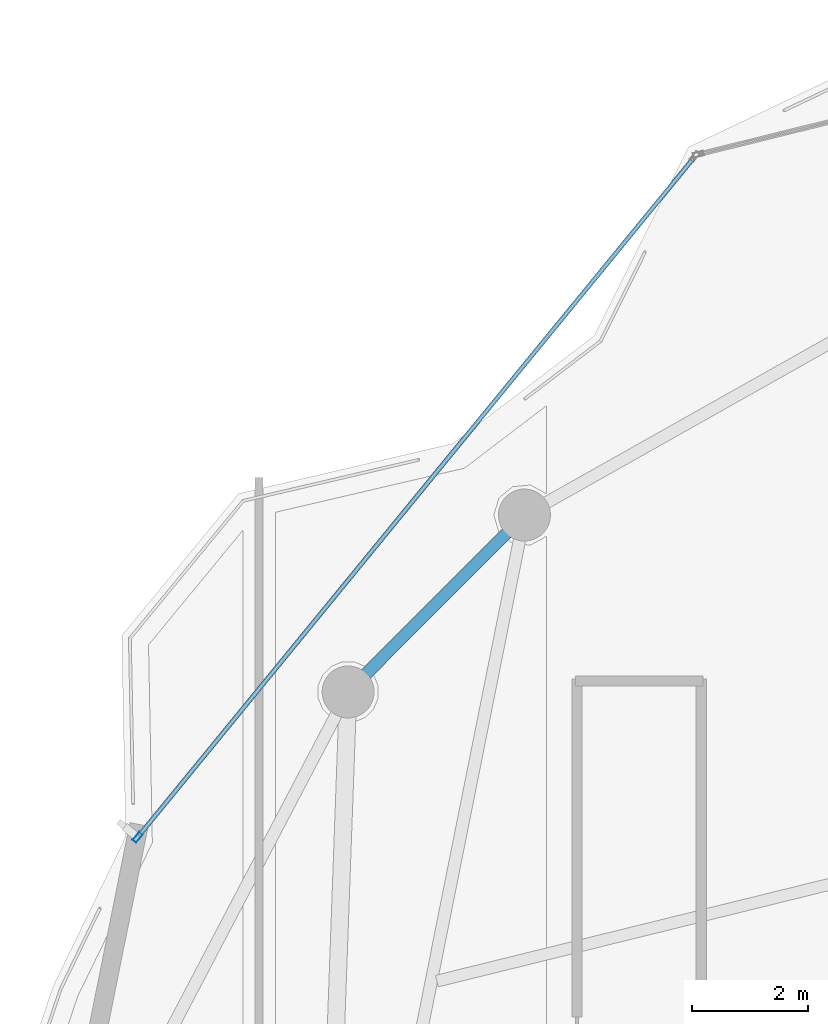
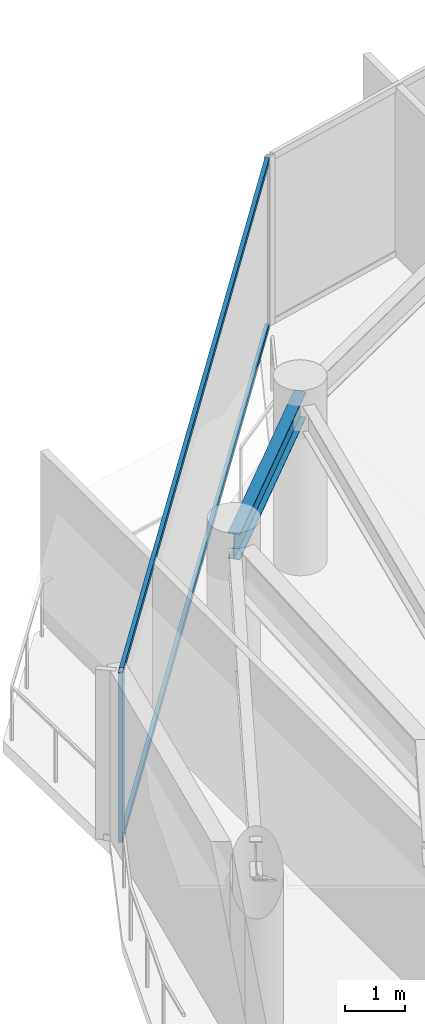
# One storey, part 18 of 29: 3 members, 1 beam, 1 element without a shape of its own.
"""IFC4 building model written with IfcOpenShell, lengths in metres."""

from ifc_helpers import new_model, si_unit, direction, frame, origin, origin_2d, place, context, subcontext, project, spatial, hollow_rectangle, i_section, extrude, material, layer, layer_set, material_profile, profile_set, type_object, element, aggregate, save


model = new_model("IFC4")

# Units and contexts
model_context = context("Model", 3, precision=1e-05, world=origin(), true_north=direction((0.0, 1.0)))
body_context = subcontext(model_context, "Body", "Model", "MODEL_VIEW")
ifc_project = project(units=[si_unit("LENGTHUNIT", "METRE"), si_unit("AREAUNIT", "SQUARE_METRE"), si_unit("VOLUMEUNIT", "CUBIC_METRE"), si_unit("PLANEANGLEUNIT", "RADIAN"), si_unit("MASSUNIT", "GRAM", prefix="KILO")], contexts=[model_context])

# Site, building, storey
site_placement = place(None, origin())
site = spatial("IfcSite", under=ifc_project, at=site_placement, CompositionType="ELEMENT")
building_placement = place(site_placement, origin())
building = spatial("IfcBuilding", under=site, at=building_placement, Name="Kazevale Care Tower and Concert Hall", CompositionType="ELEMENT")
storey_placement = place(building_placement, frame((0.0, 0.0, 289.0)))
storey = spatial("IfcBuildingStorey", under=building, at=storey_placement, Name="L76", CompositionType="ELEMENT", Elevation=289.0)

# Curtain wall, members
ifc_material_1 = material(Name="Aluminium 6063-T6 and Low-E Glass", Category="aluminium")
ifc_layer = layer(ifc_material_1, 0.179931640625)
ifc_layer_set = layer_set([ifc_layer], Name="Aluminium 6063-T6 and Low-E Glass")
curtain_wall_type = type_object("IfcCurtainWallType", Name="Convex Checkerboard Finned Curtain Wall CW-2", PredefinedType="NOTDEFINED", material=ifc_layer_set)
curtain_wall_placement = place(storey_placement, origin())
curtain_wall = element("IfcCurtainWall", 1, at=curtain_wall_placement, inside=storey, type_object=curtain_wall_type, Name="cw:L76:f14", PredefinedType="NOTDEFINED")
ifc_material_2 = material(Name="Aluminium 6063-T6", Category="aluminium")
ifc_material_profile_1 = material_profile(ifc_material_2, hollow_rectangle(XDim=0.080078125, YDim=0.179931640625, WallThickness=0.0048828125, at=origin_2d()), Name="ALU80x180x5")
ifc_profile_set_1 = profile_set([ifc_material_profile_1], Name="Aluminium 6063-T6")
member_type_1 = type_object("IfcMemberType", Name="CW-2 Mullion ALU80x180x5", PredefinedType="MULLION", material=ifc_profile_set_1)
member_1_placement = place(storey_placement, frame((18.8984375, 48.794921875, 0.0), z_axis=(0.0, 0.0, 1.0), x_axis=(-0.773802882676, 0.63342647463, 0.0)))
member_1 = element("IfcMember", 2, at=member_1_placement, type_object=member_type_1, Name="CW-2 mullion 1", PredefinedType="MULLION", context=body_context, shape_type="SweptSolid", body=[
    extrude(hollow_rectangle(XDim=0.080078125, YDim=0.179931640625, WallThickness=0.0048828125, at=origin_2d()), origin(), (0.0, 0.0, 1.0), 3.47998046875),
])
ifc_material_profile_2 = material_profile(ifc_material_2, hollow_rectangle(XDim=0.074951171875, YDim=0.1201171875, WallThickness=0.00390625, at=origin_2d()), Name="ALU75x120x4")
ifc_profile_set_2 = profile_set([ifc_material_profile_2], Name="Aluminium 6063-T6")
member_type_2 = type_object("IfcMemberType", Name="CW-2 Transom ALU75x120x4", PredefinedType="USERDEFINED", material=ifc_profile_set_2)
member_2_placement = place(storey_placement, frame((18.923583984375, 48.825927734375, 0.03759765625), z_axis=(0.633427513574, 0.773802032206, 0.0), x_axis=(-0.773802032206, 0.633427513574, 0.0)))
member_2 = element("IfcMember", 3, at=member_2_placement, type_object=member_type_2, Name="CW-2 transom 1.1", ObjectType="TRANSOM", PredefinedType="USERDEFINED", context=body_context, shape_type="SweptSolid", body=[
    extrude(hollow_rectangle(XDim=0.074951171875, YDim=0.1201171875, WallThickness=0.00390625, at=origin_2d()), origin(), (0.0, 0.0, 1.0), 15.134521484375),
])
member_3_placement = place(storey_placement, frame((18.923583984375, 48.825927734375, 3.4423828125), z_axis=(0.633427513574, 0.773802032206, 0.0), x_axis=(-0.773802032206, 0.633427513574, 0.0)))
member_3 = element("IfcMember", 4, at=member_3_placement, type_object=member_type_2, Name="CW-2 transom 1.2", ObjectType="TRANSOM", PredefinedType="USERDEFINED", context=body_context, shape_type="SweptSolid", body=[
    extrude(hollow_rectangle(XDim=0.074951171875, YDim=0.1201171875, WallThickness=0.00390625, at=origin_2d()), origin(), (0.0, 0.0, 1.0), 15.134521484375),
])
aggregate(curtain_wall, [member_1, member_2, member_3])

# Beam
ifc_material_3 = material(Name="Steel ASTM A572 Gr 50", Category="steel")
ifc_material_profile_3 = material_profile(ifc_material_3, i_section(OverallWidth=0.208984375, OverallDepth=0.532958984375, WebThickness=0.01025390625, FlangeThickness=0.015625, at=origin_2d()), Name="W530x92")
ifc_profile_set_3 = profile_set([ifc_material_profile_3], Name="Steel ASTM A572 Gr 50")
beam_type = type_object("IfcBeamType", Name="Upper Ring Beam W530x92", PredefinedType="BEAM", material=ifc_profile_set_3)
beam_placement = place(storey_placement, frame((25.590087890625, 54.3701171875, 3.21337890625), z_axis=(-0.705947429832, -0.708264234812, 0.0), x_axis=(0.708264234812, -0.705947429832, 0.0)))
element("IfcBeam", 5, at=beam_placement, inside=storey, type_object=beam_type, Name="beam:L76:ring:07", PredefinedType="BEAM", context=body_context, shape_type="SweptSolid", body=[
    extrude(i_section(OverallWidth=0.208984375, OverallDepth=0.532958984375, WebThickness=0.01025390625, FlangeThickness=0.015625, at=origin_2d()), origin(), (0.0, 0.0, 1.0), 4.320556640625),
])

save(model, "model.ifc")
